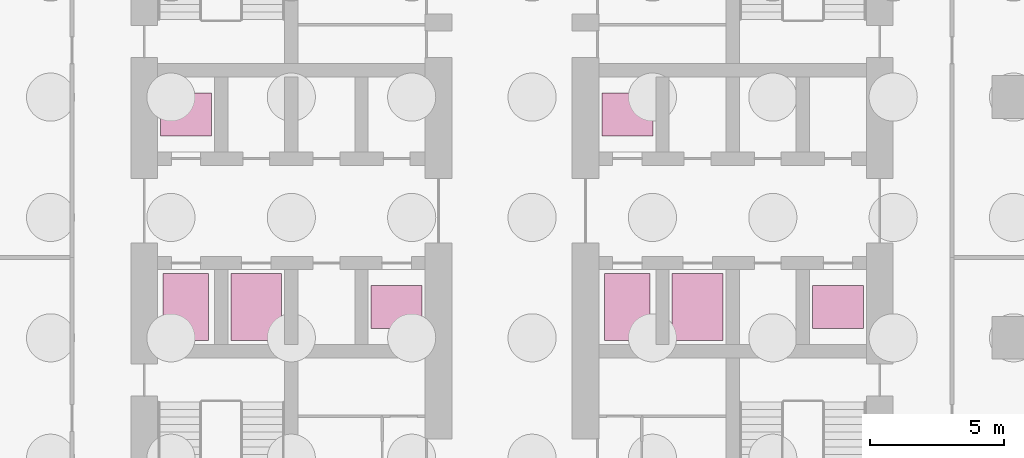
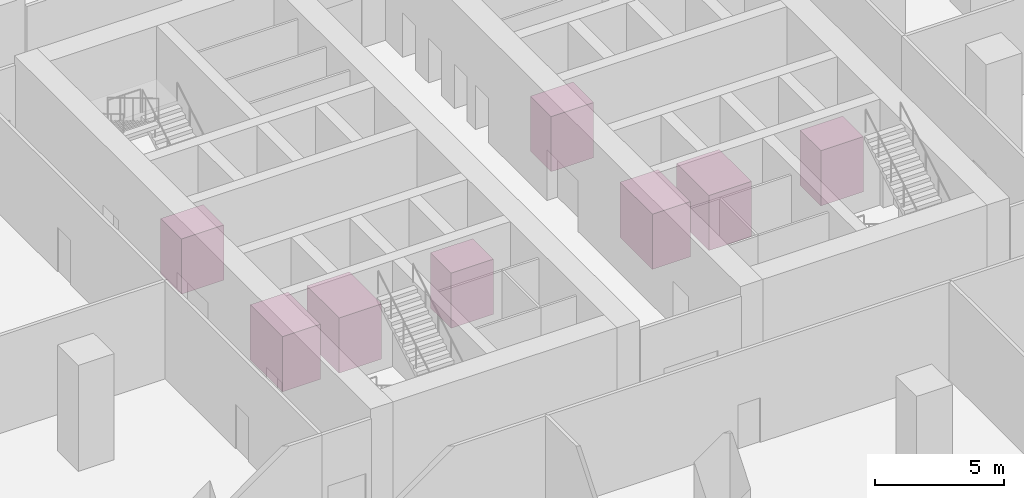
# One storey, part 9 of 9: 8 transport elements.
"""IFC4 building model written with IfcOpenShell, lengths in metres."""

import ifcopenshell
import ifcopenshell.guid

model = None  # the IFC model being written
_history = None  # IfcOwnerHistory: only IFC2X3 demands one
_inside = {}  # id of a spatial element -> (the spatial element, [elements in it])
_under = {}  # id of a project, library or spatial element -> (it, [spatial elements below it])
_declared = {}  # id of a project -> (the project, [libraries it declares])
_typed = {}  # id of a type object -> (the type object, [elements of that type])
_made_of = {}  # id of a material, layer set ... -> (it, [elements and type objects made of it])


def new_model(schema):
    """Start an empty IFC model of exactly this schema.

    Asked for "IFC4X3", IfcOpenShell would pick the latest addendum, in which some entities
    have other attributes; the version numbers below select the first issue.
    IFC2X3 requires an IfcOwnerHistory on every rooted entity: one is made here for all.
    """
    global model, _history
    if schema == "IFC4X3":
        model = ifcopenshell.file(schema_version=(4, 3, 0, 0))
    else:
        model = ifcopenshell.file(schema=schema)
    _inside.clear()
    _under.clear()
    _declared.clear()
    _typed.clear()
    _made_of.clear()
    _history = None
    if model.schema == "IFC2X3":
        org = make("IfcOrganization", Name="unknown")
        user = make(
            "IfcPersonAndOrganization",
            ThePerson=make("IfcPerson", FamilyName="unknown"),
            TheOrganization=org,
        )
        app = make(
            "IfcApplication",
            ApplicationDeveloper=org,
            Version="unknown",
            ApplicationFullName="unknown",
            ApplicationIdentifier="unknown",
        )
        _history = make(
            "IfcOwnerHistory",
            OwningUser=user,
            OwningApplication=app,
            ChangeAction="ADDED",
            CreationDate=0,
        )
    return model


def make(cls, **values):
    """One entity of the class cls with the attributes given. An attribute that is None is left unset."""
    return model.create_entity(
        cls, **{name: value for name, value in values.items() if value is not None}
    )


def rooted(cls, **values):
    """An entity with a GlobalId (a new one), such as an element, a storey or a relation."""
    return make(cls, GlobalId=ifcopenshell.guid.new(), OwnerHistory=_history, **values)


def si_unit(unit_type, name, prefix=None):
    """IfcSIUnit, for example si_unit("LENGTHUNIT", "METRE", prefix="MILLI")."""
    return make("IfcSIUnit", UnitType=unit_type, Prefix=prefix, Name=name)


def assignment(units):
    """IfcUnitAssignment: the units of a project."""
    return None if units is None else make("IfcUnitAssignment", Units=units)


def point(xyz):
    """IfcCartesianPoint."""
    return None if xyz is None else make("IfcCartesianPoint", Coordinates=xyz)


def direction(xyz):
    """IfcDirection."""
    return None if xyz is None else make("IfcDirection", DirectionRatios=xyz)


def frame(location, z_axis=None, x_axis=None):
    """IfcAxis2Placement3D, a coordinate frame: its origin and axes. An axis left out is left unset."""
    return make(
        "IfcAxis2Placement3D",
        Location=point(location),
        Axis=direction(z_axis),
        RefDirection=direction(x_axis),
    )


def frame_2d(location, x_axis=None):
    """IfcAxis2Placement2D, a coordinate frame in the plane: its origin and x axis."""
    return make(
        "IfcAxis2Placement2D", Location=point(location), RefDirection=direction(x_axis)
    )


def origin():
    """The frame at (0, 0, 0) with its axes left unset."""
    return frame((0.0, 0.0, 0.0))


def origin_2d():
    """The frame at (0, 0) in the plane with its x axis left unset."""
    return frame_2d((0.0, 0.0))


def place(relative_to, where):
    """IfcLocalPlacement: puts the frame where relative to a parent placement (None: the world)."""
    return make(
        "IfcLocalPlacement", PlacementRelTo=relative_to, RelativePlacement=where
    )


def context(
    kind, dimensions, precision=None, world=None, true_north=None, identifier=None
):
    """IfcGeometricRepresentationContext, for example the 3D "Model" context."""
    return make(
        "IfcGeometricRepresentationContext",
        ContextIdentifier=identifier,
        ContextType=kind,
        CoordinateSpaceDimension=dimensions,
        Precision=precision,
        WorldCoordinateSystem=world,
        TrueNorth=true_north,
    )


def subcontext(parent, identifier, kind, view, scale=None):
    """IfcGeometricRepresentationSubContext, for example "Body" below "Model"."""
    return make(
        "IfcGeometricRepresentationSubContext",
        ContextIdentifier=identifier,
        ContextType=kind,
        ParentContext=parent,
        TargetScale=scale,
        TargetView=view,
    )


def project(units=None, contexts=None):
    """IfcProject with its units and contexts."""
    return rooted(
        "IfcProject",
        Name="project",
        RepresentationContexts=contexts,
        UnitsInContext=assignment(units),
    )


def spatial(cls, under=None, at=None, **own):
    """A site, building, storey or space (cls), placed at a placement, below another one or the project."""
    s = rooted(cls, ObjectPlacement=at, **own)
    if under is not None:
        _under.setdefault(under.id(), (under, []))[1].append(s)
    return s


def profile(cls, at=None, kind="AREA", **sizes):
    """A parametric profile (cls). Its sizes go by their IFC names, for example OverallWidth=200.0."""
    return make(cls, ProfileType=kind, Position=at, **sizes)


def rectangle(**sizes):
    """IfcRectangleProfileDef."""
    return profile("IfcRectangleProfileDef", **sizes)


def extrude(swept, where, along, depth):
    """IfcExtrudedAreaSolid: the profile swept, set in the frame where, extruded along a direction by depth."""
    return make(
        "IfcExtrudedAreaSolid",
        SweptArea=swept,
        Position=where,
        ExtrudedDirection=direction(along),
        Depth=depth,
    )


def shape(context_of_items, identifier, shape_type, items):
    """IfcShapeRepresentation: the items that make up one representation, for example the "Body"."""
    return make(
        "IfcShapeRepresentation",
        ContextOfItems=context_of_items,
        RepresentationIdentifier=identifier,
        RepresentationType=shape_type,
        Items=items,
    )


def material(Name=None, Category=None):
    """IfcMaterial."""
    return make("IfcMaterial", Name=Name, Category=Category)


def made_of(thing, what):
    """Note that an element or type object is made of a material, layer set ...; save() writes the relation."""
    if what is not None:
        _made_of.setdefault(what.id(), (what, []))[1].append(thing)
    return thing


def type_object(cls, material=None, **own):
    """A type object (cls), such as IfcWallType, which elements share."""
    return made_of(rooted(cls, **own), material)


def element(
    cls,
    number,
    at=None,
    inside=None,
    cuts=None,
    type_object=None,
    material=None,
    context=None,
    identifier="Body",
    shape_type=None,
    held_by="IfcProductDefinitionShape",
    body=None,
    shapes=None,
    **own,
):
    """One element of the class cls, such as IfcWall. Its Tag is "e" and its number.

    at: its placement. inside: the storey or other place that contains it. cuts: it is an
    opening in that element (IfcRelVoidsElement). A single representation is given by context,
    identifier, shape_type and body (its items); several are given by shapes. held_by: the class
    of the entity that holds the representations. save() writes the other relations.
    """
    e = rooted(cls, Tag="e%d" % number, ObjectPlacement=at, **own)
    if body is not None:
        shapes = [shape(context, identifier, shape_type, body)]
    if shapes is not None:
        e.Representation = make(held_by, Representations=shapes)
    if inside is not None:
        _inside.setdefault(inside.id(), (inside, []))[1].append(e)
    if cuts is not None:
        rooted(
            "IfcRelVoidsElement", RelatingBuildingElement=cuts, RelatedOpeningElement=e
        )
    if type_object is not None:
        _typed.setdefault(type_object.id(), (type_object, []))[1].append(e)
    return made_of(e, material)


def aggregate(whole, parts):
    """IfcRelAggregates: a whole, such as a stair, and the parts it consists of."""
    return rooted("IfcRelAggregates", RelatingObject=whole, RelatedObjects=parts)


def save(model, path):
    """Write the relations noted so far, then the file.

    IfcRelAggregates (storeys below a building ...), IfcRelContainedInSpatialStructure (elements
    in a storey), IfcRelDefinesByType, IfcRelAssociatesMaterial and IfcRelDeclares: one each for
    every whole, place, type object, material and project.
    """
    for whole, parts in _under.values():
        aggregate(whole, parts)
    for where, things in _inside.values():
        rooted(
            "IfcRelContainedInSpatialStructure",
            RelatedElements=things,
            RelatingStructure=where,
        )
    for kind, things in _typed.values():
        rooted("IfcRelDefinesByType", RelatedObjects=things, RelatingType=kind)
    for what, things in _made_of.values():
        rooted("IfcRelAssociatesMaterial", RelatedObjects=things, RelatingMaterial=what)
    for by, libraries in _declared.values():
        rooted("IfcRelDeclares", RelatingContext=by, RelatedDefinitions=libraries)
    model.write(path)


model = new_model("IFC4")

# Units and contexts
model_context = context("Model", 3, precision=1e-05, world=origin(), true_north=direction((0.0, 1.0)))
body_context = subcontext(model_context, "Body", "Model", "MODEL_VIEW")
ifc_project = project(units=[si_unit("LENGTHUNIT", "METRE"), si_unit("AREAUNIT", "SQUARE_METRE"), si_unit("VOLUMEUNIT", "CUBIC_METRE"), si_unit("PLANEANGLEUNIT", "RADIAN"), si_unit("MASSUNIT", "GRAM", prefix="KILO")], contexts=[model_context])

# Site, building, storey
site_placement = place(None, origin())
site = spatial("IfcSite", under=ifc_project, at=site_placement, CompositionType="ELEMENT")
building_placement = place(site_placement, origin())
building = spatial("IfcBuilding", under=site, at=building_placement, Name="Corbel Stack Research Tower", CompositionType="ELEMENT")
storey_placement = place(building_placement, frame((0.0, 0.0, -10.0)))
storey = spatial("IfcBuildingStorey", under=building, at=storey_placement, Name="B2", CompositionType="ELEMENT", Elevation=-10.0)

# Transport elements
ifc_material_1 = material(Name="Stainless steel", Category="steel")
transport_element_type_1 = type_object("IfcTransportElementType", Name="Fire service access lift car 1600 x 2400", PredefinedType="ELEVATOR", material=ifc_material_1)
for number, where, z_axis, x_axis, name in (
    (1, (-8.4375, 1.14990234375, 0.0), (0.0, 0.0, 1.0), (1.0, 0.0, 0.0), "Lift FS1"),
    (2, (8.0625, 1.14990234375, 0.0), (0.0, 0.0, 1.0), (1.0, 0.0, 0.0), "Lift FS2"),
):
    element("IfcTransportElement", number, at=place(storey_placement, frame(where, z_axis=z_axis, x_axis=x_axis)), inside=storey, type_object=transport_element_type_1, Name=name, PredefinedType="ELEVATOR", context=body_context, shape_type="SweptSolid", body=[
        extrude(rectangle(XDim=1.699951171875, YDim=2.5, at=origin_2d()), origin(), (0.0, 0.0, 1.0), 2.60009765625),
    ])
ifc_material_2 = material(Name="Stainless steel", Category="steel")
transport_element_type_2 = type_object("IfcTransportElementType", Name="Goods lift car 1800 x 2400", PredefinedType="ELEVATOR", material=ifc_material_2)
for number, where, z_axis, x_axis, name in (
    (3, (-5.8125, 1.14990234375, 0.0), (0.0, 0.0, 1.0), (1.0, 0.0, 0.0), "Lift GL1"),
    (4, (10.6875, 1.14990234375, 0.0), (0.0, 0.0, 1.0), (1.0, 0.0, 0.0), "Lift GL2"),
):
    element("IfcTransportElement", number, at=place(storey_placement, frame(where, z_axis=z_axis, x_axis=x_axis)), inside=storey, type_object=transport_element_type_2, Name=name, PredefinedType="ELEVATOR", context=body_context, shape_type="SweptSolid", body=[
        extrude(rectangle(XDim=1.89990234375, YDim=2.5, at=origin_2d()), origin(), (0.0, 0.0, 1.0), 2.60009765625),
    ])
ifc_material_3 = material(Name="Stainless steel", Category="steel")
transport_element_type_3 = type_object("IfcTransportElementType", Name="Low-rise passenger lift car 1800 x 1500", PredefinedType="ELEVATOR", material=ifc_material_3)
for number, where, z_axis, x_axis, name in (
    (5, (-0.5625, 1.14990234375, 0.0), (0.0, 0.0, 1.0), (1.0, 0.0, 0.0), "Lift LR1"),
    (6, (-8.4375, 8.35009765625, 0.0), (0.0, 0.0, 1.0), (1.0, 0.0, 0.0), "Lift LR2"),
    (7, (15.9375, 1.14990234375, 0.0), (0.0, 0.0, 1.0), (1.0, 0.0, 0.0), "Lift LR3"),
    (8, (8.0625, 8.35009765625, 0.0), (0.0, 0.0, 1.0), (1.0, 0.0, 0.0), "Lift LR4"),
):
    element("IfcTransportElement", number, at=place(storey_placement, frame(where, z_axis=z_axis, x_axis=x_axis)), inside=storey, type_object=transport_element_type_3, Name=name, PredefinedType="ELEVATOR", context=body_context, shape_type="SweptSolid", body=[
        extrude(rectangle(XDim=1.89990234375, YDim=1.60009765625, at=origin_2d()), origin(), (0.0, 0.0, 1.0), 2.60009765625),
    ])

save(model, "model.ifc")
